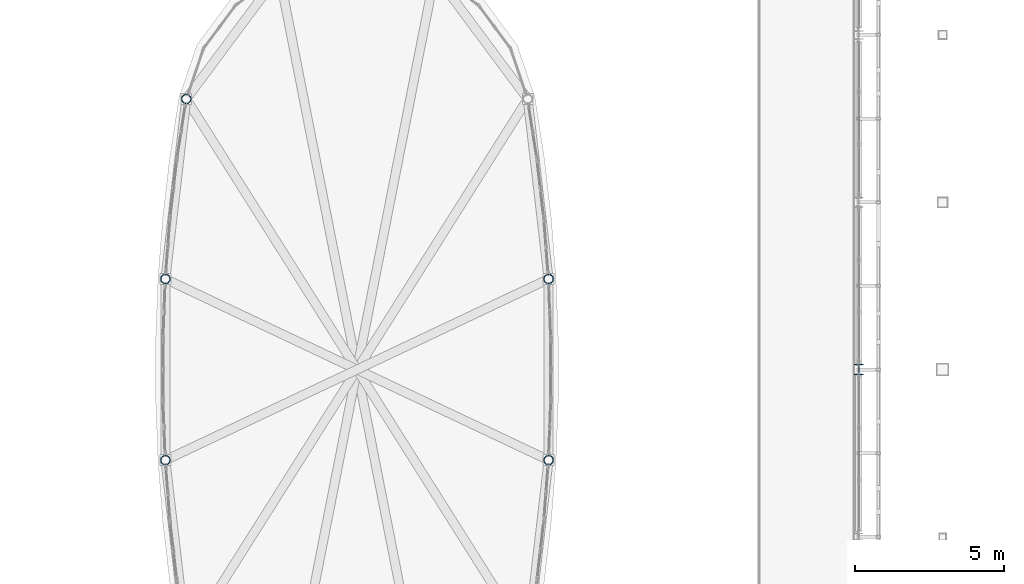
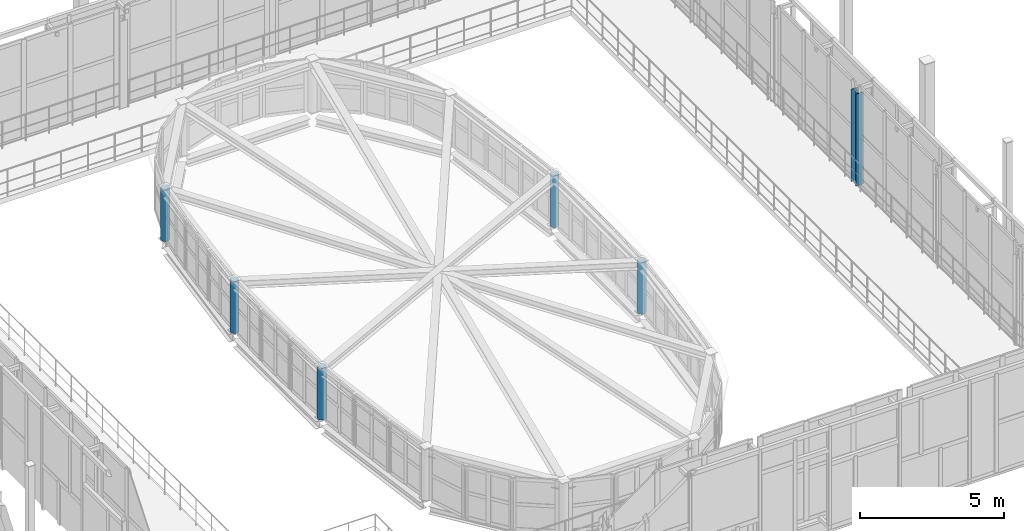
# One storey, part 9 of 78: 6 columns.
"""IFC4 building model written with IfcOpenShell, lengths in metres."""

from ifc_helpers import new_model, si_unit, direction, frame, origin, origin_2d, place, context, subcontext, project, spatial, hollow_circle, i_section, extrude, material, material_profile, profile_set, type_object, element, save


model = new_model("IFC4")

# Units and contexts
model_context = context("Model", 3, precision=1e-05, world=origin(), true_north=direction((0.0, 1.0)))
body_context = subcontext(model_context, "Body", "Model", "MODEL_VIEW")
ifc_project = project(units=[si_unit("LENGTHUNIT", "METRE"), si_unit("AREAUNIT", "SQUARE_METRE"), si_unit("VOLUMEUNIT", "CUBIC_METRE"), si_unit("PLANEANGLEUNIT", "RADIAN"), si_unit("MASSUNIT", "GRAM", prefix="KILO")], contexts=[model_context])

# Site, building, storey
site_placement = place(None, origin())
site = spatial("IfcSite", under=ifc_project, at=site_placement, CompositionType="ELEMENT")
building_placement = place(site_placement, origin())
building = spatial("IfcBuilding", under=site, at=building_placement, Name="Vinh Khe Railworks Police Headquarters", CompositionType="ELEMENT")
storey_placement = place(building_placement, frame((0.0, 0.0, 13.199951171875)))
storey = spatial("IfcBuildingStorey", under=building, at=storey_placement, Name="L03", CompositionType="ELEMENT", Elevation=13.199951171875)

# Columns
ifc_material = material(Name="Steel S355JR", Category="steel")
ifc_material_profile_1 = material_profile(ifc_material, hollow_circle(Radius=0.161865234375, WallThickness=0.01611328125, at=origin_2d()), Name="CHS 323.9x16")
ifc_profile_set_1 = profile_set([ifc_material_profile_1], Name="Steel S355JR")
column_type_1 = type_object("IfcColumnType", Name="Steel Column CHS 323.9x16", PredefinedType="COLUMN", material=ifc_profile_set_1)
for number, where, z_axis, x_axis, name in (
    (1, (36.78759765625, 38.968017578125, 0.0), (0.0, 0.0, 1.0), (-0.997039347045, -0.076893045491, 0.0), "Column COL-L03-SC-28-0833"),
    (2, (36.78759765625, 45.031982421875, 0.0), (0.0, 0.0, 1.0), (-0.999256201254, 0.038562212782, 0.0), "Column COL-L03-SC-28-0838"),
    (3, (37.48681640625, 51.055908203125, 0.0), (0.0, 0.0, 1.0), (-0.988148142789, 0.15350325046, 0.0), "Column COL-L03-SC-28-0848"),
    (4, (49.6123046875, 38.968017578125, 0.0), (0.0, 0.0, 1.0), (0.999256201254, -0.038562212782, 0.0), "Column COL-L03-SC-28-0953"),
    (5, (49.6123046875, 45.031982421875, 0.0), (0.0, 0.0, 1.0), (0.997039347045, 0.076893045491, 0.0), "Column COL-L03-SC-28-0958"),
):
    element("IfcColumn", number, at=place(storey_placement, frame(where, z_axis=z_axis, x_axis=x_axis)), inside=storey, type_object=column_type_1, Name=name, PredefinedType="COLUMN", context=body_context, shape_type="SweptSolid", body=[
        extrude(hollow_circle(Radius=0.161865234375, WallThickness=0.01611328125, at=origin_2d()), origin(), (0.0, 0.0, 1.0), 2.199951171875),
    ])
ifc_material_profile_2 = material_profile(ifc_material, i_section(OverallWidth=0.300048828125, OverallDepth=0.35009765625, WebThickness=0.010009765625, FlangeThickness=0.017578125, FilletRadius=0.027099609375, at=origin_2d()), Name="HEA 360")
ifc_profile_set_2 = profile_set([ifc_material_profile_2], Name="Steel S355JR")
column_type_2 = type_object("IfcColumnType", Name="Steel Column HEA 360", PredefinedType="COLUMN", material=ifc_profile_set_2)
column_placement = place(storey_placement, frame((60.0, 42.0, 0.0), z_axis=(0.0, 0.0, 1.0), x_axis=(1.0, 0.0, 0.0)))
element("IfcColumn", 6, at=column_placement, inside=storey, type_object=column_type_2, Name="Column COL-L03-SC-16-1026", PredefinedType="COLUMN", context=body_context, shape_type="SweptSolid", body=[
    extrude(i_section(OverallWidth=0.300048828125, OverallDepth=0.35009765625, WebThickness=0.010009765625, FlangeThickness=0.017578125, FilletRadius=0.027099609375, at=origin_2d()), origin(), (0.0, 0.0, 1.0), 3.900146484375),
])

save(model, "model.ifc")
